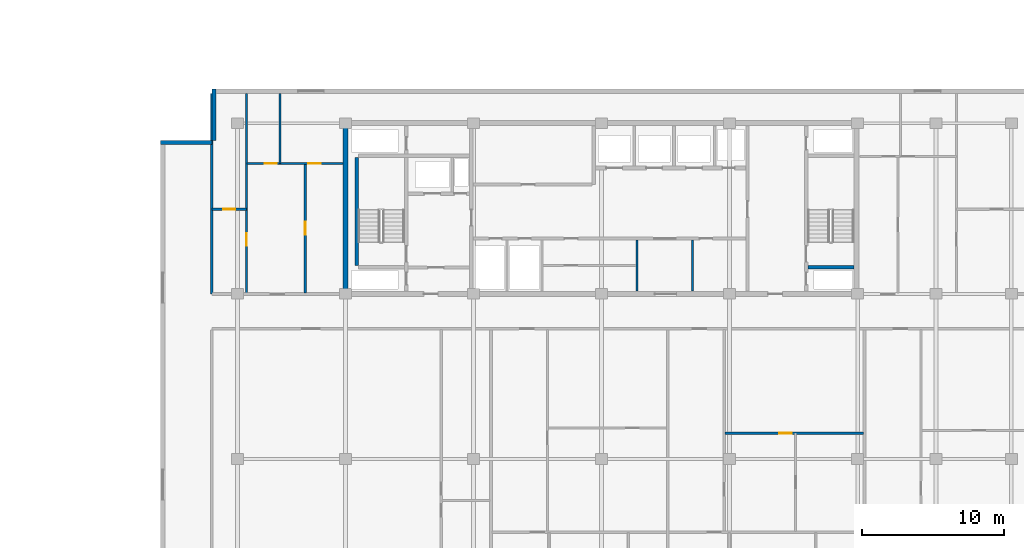
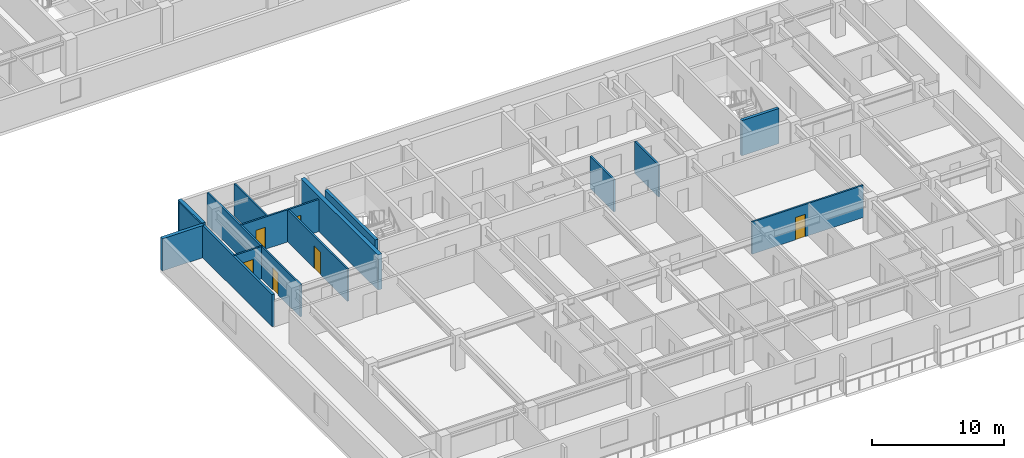
# One storey, part 6 of 22: 14 walls, 6 doors, 6 openings.
"""IFC4 building model written with IfcOpenShell, lengths in metres."""

from ifc_helpers import new_model, si_unit, direction, frame, frame_2d, origin, place, context, subcontext, project, spatial, rectangle, extrude, material, layer, layer_set, type_object, element, fill, save


model = new_model("IFC4")

# Units and contexts
model_context = context("Model", 3, precision=1e-05, world=origin(), true_north=direction((0.0, 1.0)))
body_context = subcontext(model_context, "Body", "Model", "MODEL_VIEW")
ifc_project = project(units=[si_unit("LENGTHUNIT", "METRE"), si_unit("AREAUNIT", "SQUARE_METRE"), si_unit("VOLUMEUNIT", "CUBIC_METRE"), si_unit("PLANEANGLEUNIT", "RADIAN"), si_unit("MASSUNIT", "GRAM", prefix="KILO")], contexts=[model_context])

# Site, building, storey
site_placement = place(None, origin())
site = spatial("IfcSite", under=ifc_project, at=site_placement, CompositionType="ELEMENT")
building_placement = place(site_placement, origin())
building = spatial("IfcBuilding", under=site, at=building_placement, Name="Korimba Cascade Residences", CompositionType="ELEMENT")
storey_placement = place(building_placement, frame((0.0, 0.0, 110.050048828125)))
storey = spatial("IfcBuildingStorey", under=building, at=storey_placement, Name="L31", CompositionType="ELEMENT", Elevation=110.050048828125)

# Walls
ifc_material_1 = material(Name="Precast concrete C40/50", Category="concrete")
ifc_layer_1 = layer(ifc_material_1, 0.300048828125)
ifc_layer_set_1 = layer_set([ifc_layer_1], Name="Precast concrete C40/50")
wall_type_1 = type_object("IfcWallType", Name="EW-STONE-300", PredefinedType="STANDARD", material=ifc_layer_set_1)
wall_1_placement = place(storey_placement, frame((72.85009765625, 32.800048828125, 0.0), z_axis=(0.0, 0.0, 1.0), x_axis=(0.0, -1.0, 0.0)))
element("IfcWall", 1, at=wall_1_placement, inside=storey, type_object=wall_type_1, Name="L31 T2 Perimeter Stone Wall E07", PredefinedType="STANDARD", context=body_context, shape_type="SweptSolid", body=[
    extrude(rectangle(XDim=3.60009765625, YDim=0.300048828125, at=frame_2d((1.800048828125, 0.0))), origin(), (0.0, 0.0, 1.0), 2.969970703125),
])
wall_2_placement = place(storey_placement, frame((72.699951171875, 29.050048828125, 0.0), z_axis=(0.0, 0.0, 1.0), x_axis=(-1.0, 0.0, 0.0)))
element("IfcWall", 2, at=wall_2_placement, inside=storey, type_object=wall_type_1, Name="L31 T2 Perimeter Stone Wall E08", PredefinedType="STANDARD", context=body_context, shape_type="SweptSolid", body=[
    extrude(rectangle(XDim=3.599853515625, YDim=0.300048828125, at=frame_2d((1.7998046875, 0.0))), origin(), (0.0, 0.0, 1.0), 2.969970703125),
])
ifc_material_2 = material(Name="Concrete C65/80", Category="concrete")
ifc_layer_2 = layer(ifc_material_2, 0.35009765625)
ifc_layer_set_2 = layer_set([ifc_layer_2], Name="Concrete C65/80")
wall_type_2 = type_object("IfcWallType", Name="WAL-CORE-350", PredefinedType="SHEAR", material=ifc_layer_set_2)
wall_3_placement = place(storey_placement, frame((82.10009765625, 18.574951171875, 0.0), z_axis=(0.0, 0.0, 1.0), x_axis=(0.0, 1.0, 0.0)))
element("IfcWall", 3, at=wall_3_placement, inside=storey, type_object=wall_type_2, Name="L31 Core Shear Wall CW-L31-T2-W", PredefinedType="SHEAR", context=body_context, shape_type="SweptSolid", body=[
    extrude(rectangle(XDim=11.650146484375, YDim=0.35009765625, at=frame_2d((5.8251953125, 0.0))), origin(), (0.0, 0.0, 1.0), 3.25),
])
ifc_layer_3 = layer(ifc_material_1, 0.199951171875)
ifc_layer_set_3 = layer_set([ifc_layer_3], Name="Precast concrete C40/50")
wall_type_3 = type_object("IfcWallType", Name="WAL-IT-200", PredefinedType="PARTITIONING", material=ifc_layer_set_3)
wall_4_placement = place(storey_placement, frame((72.699951171875, 18.39990234375, 0.0), z_axis=(0.0, 0.0, 1.0), x_axis=(0.0, 1.0, 0.0)))
element("IfcWall", 4, at=wall_4_placement, inside=storey, type_object=wall_type_3, Name="L31 Partition Wall WAL-L31-T2-FW-WL", PredefinedType="PARTITIONING", context=body_context, shape_type="SweptSolid", body=[
    extrude(rectangle(XDim=14.10009765625, YDim=0.199951171875, at=frame_2d((7.050048828125, 0.0))), origin(), (0.0, 0.0, 1.0), 2.969970703125),
])
ifc_material_3 = material(Name="Insulated Acoustic Stud Partition", Category="gypsum")
ifc_layer_4 = layer(ifc_material_3, 0.14990234375)
ifc_layer_set_4 = layer_set([ifc_layer_4], Name="Insulated Acoustic Stud Partition")
wall_type_4 = type_object("IfcWallType", Name="WAL-PART-150", PredefinedType="PARTITIONING", material=ifc_layer_set_4)
for number, where, z_axis, x_axis, name in (
    (5, (102.60009765625, 18.60009765625, 0.0), (0.0, 0.0, 1.0), (0.0, 1.0, 0.0), "L31 Partition Wall CW-L31-T2-THW"),
    (6, (106.5, 18.60009765625, 0.0), (0.0, 0.0, 1.0), (0.0, 1.0, 0.0), "L31 Partition Wall CW-L31-T2-THE"),
):
    element("IfcWall", number, at=place(storey_placement, frame(where, z_axis=z_axis, x_axis=x_axis)), inside=storey, type_object=wall_type_4, Name=name, PredefinedType="PARTITIONING", context=body_context, shape_type="SweptSolid", body=[
        extrude(rectangle(XDim=3.599853515625, YDim=0.14990234375, at=frame_2d((1.7998046875, 0.0))), origin(), (0.0, 0.0, 1.0), 2.969970703125),
    ])

# Wall, opening, door
wall_5_placement = place(storey_placement, frame((72.699951171875, 24.35009765625, 0.0), z_axis=(0.0, 0.0, 1.0), x_axis=(1.0, 0.0, 0.0)))
wall_5 = element("IfcWall", 7, at=wall_5_placement, inside=storey, type_object=wall_type_4, Name="L31 Partition Wall WAL-L31-T2-FW-STH", PredefinedType="PARTITIONING", context=body_context, shape_type="SweptSolid", body=[
    extrude(rectangle(XDim=2.449951171875, YDim=0.14990234375, at=frame_2d((1.22509765625, 0.0))), origin(), (0.0, 0.0, 1.0), 2.969970703125),
])
opening_1_placement = place(wall_5_placement, frame((0.804931640625, 0.0, 0.0)))
opening_1 = element("IfcOpeningElement", 8, at=opening_1_placement, cuts=wall_5, Name="Opening D-BT1", PredefinedType="OPENING", context=body_context, shape_type="SweptSolid", body=[
    extrude(rectangle(XDim=0.840087890625, YDim=2.0400390625, at=frame_2d((0.419921875, 1.02001953125))), frame((0.0, 0.0849609375, 0.0), z_axis=(0.0, -1.0, 0.0), x_axis=(1.0, 0.0, 0.0)), (0.0, 0.0, 1.0), 0.169921875),
])
ifc_material_4 = material(Name="Moisture-Resistant Bathroom Timber Door", Category="wood")
door_type_1 = type_object("IfcDoorType", Name="DR-INT-850", OperationType="NOTDEFINED", PredefinedType="DOOR", material=ifc_material_4)
door_1_placement = place(opening_1_placement, origin())
door_1 = element("IfcDoor", 9, at=door_1_placement, inside=storey, type_object=door_type_1, Name="L31-T2-FW Dressing Store Door", OperationType="SINGLE_SWING_LEFT", OverallHeight=2.0400390625, OverallWidth=0.840087890625, PredefinedType="DOOR", context=body_context, shape_type="SweptSolid", body=[
    extrude(rectangle(XDim=0.840087890625, YDim=2.0400390625, at=frame_2d((0.419921875, 1.02001953125))), frame((0.0, 0.02490234375, 0.0), z_axis=(0.0, -1.0, 0.0), x_axis=(1.0, 0.0, 0.0)), (0.0, 0.0, 1.0), 0.050048828125),
])
fill(opening_1, door_1)

wall_6_placement = place(storey_placement, frame((75.14990234375, 18.449951171875, 0.0), z_axis=(0.0, 0.0, 1.0), x_axis=(0.0, 1.0, 0.0)))
wall_6 = element("IfcWall", 10, at=wall_6_placement, inside=storey, type_object=wall_type_4, Name="L31 Partition Wall WAL-L31-T2-FW-STV", PredefinedType="PARTITIONING", context=body_context, shape_type="SweptSolid", body=[
    extrude(rectangle(XDim=14.050048828125, YDim=0.14990234375, at=frame_2d((7.02490234375, 0.0))), origin(), (0.0, 0.0, 1.0), 2.969970703125),
])
opening_2_placement = place(wall_6_placement, frame((3.320068359375, 0.0, 0.0)))
opening_2 = element("IfcOpeningElement", 11, at=opening_2_placement, cuts=wall_6, Name="Opening D-IN2", PredefinedType="OPENING", context=body_context, shape_type="SweptSolid", body=[
    extrude(rectangle(XDim=0.8798828125, YDim=2.06005859375, at=frame_2d((0.43994140625, 1.030029296875))), frame((0.0, 0.0849609375, 0.0), z_axis=(0.0, -1.0, 0.0), x_axis=(1.0, 0.0, 0.0)), (0.0, 0.0, 1.0), 0.169921875),
])
ifc_material_5 = material(Name="Acoustic Timber Bedroom Door", Category="wood")
door_type_2 = type_object("IfcDoorType", Name="DR-INT-880", OperationType="NOTDEFINED", PredefinedType="DOOR", material=ifc_material_5)
door_2_placement = place(opening_2_placement, origin())
door_2 = element("IfcDoor", 12, at=door_2_placement, inside=storey, type_object=door_type_2, Name="L31-T2-FW Study Door", OperationType="SINGLE_SWING_RIGHT", OverallHeight=2.06005859375, OverallWidth=0.8798828125, PredefinedType="DOOR", context=body_context, shape_type="SweptSolid", body=[
    extrude(rectangle(XDim=0.8798828125, YDim=2.06005859375, at=frame_2d((0.43994140625, 1.030029296875))), frame((0.0, 0.02490234375, 0.0), z_axis=(0.0, -1.0, 0.0), x_axis=(1.0, 0.0, 0.0)), (0.0, 0.0, 1.0), 0.050048828125),
])
fill(opening_2, door_2)

wall_7_placement = place(storey_placement, frame((79.27001953125, 18.449951171875, 0.0), z_axis=(0.0, 0.0, 1.0), x_axis=(0.0, 1.0, 0.0)))
wall_7 = element("IfcWall", 13, at=wall_7_placement, inside=storey, type_object=wall_type_4, Name="L31 Partition Wall WAL-L31-T2-FW-VS", PredefinedType="PARTITIONING", context=body_context, shape_type="SweptSolid", body=[
    extrude(rectangle(XDim=9.1201171875, YDim=0.14990234375, at=frame_2d((4.56005859375, 0.0))), origin(), (0.0, 0.0, 1.0), 2.969970703125),
])
opening_3_placement = place(wall_7_placement, frame((4.10009765625, 0.0, 0.0)))
opening_3 = element("IfcOpeningElement", 14, at=opening_3_placement, cuts=wall_7, Name="Opening D-IN1", PredefinedType="OPENING", context=body_context, shape_type="SweptSolid", body=[
    extrude(rectangle(XDim=0.919921875, YDim=2.080078125, at=frame_2d((0.4599609375, 1.0400390625))), frame((0.0, 0.0849609375, 0.0), z_axis=(0.0, -1.0, 0.0), x_axis=(1.0, 0.0, 0.0)), (0.0, 0.0, 1.0), 0.169921875),
])
ifc_material_6 = material(Name="Acoustic Timber Living Door", Category="wood")
door_type_3 = type_object("IfcDoorType", Name="DR-INT-920", OperationType="NOTDEFINED", PredefinedType="DOOR", material=ifc_material_6)
door_3_placement = place(opening_3_placement, origin())
door_3 = element("IfcDoor", 15, at=door_3_placement, inside=storey, type_object=door_type_3, Name="L31-T2-FW Living Door", OperationType="SINGLE_SWING_LEFT", OverallHeight=2.080078125, OverallWidth=0.919921875, PredefinedType="DOOR", context=body_context, shape_type="SweptSolid", body=[
    extrude(rectangle(XDim=0.919921875, YDim=2.080078125, at=frame_2d((0.4599609375, 1.0400390625))), frame((0.0, 0.02490234375, 0.0), z_axis=(0.0, -1.0, 0.0), x_axis=(1.0, 0.0, 0.0)), (0.0, 0.0, 1.0), 0.050048828125),
])
fill(opening_3, door_3)

# Wall
wall_8_placement = place(storey_placement, frame((77.5, 27.570068359375, 0.0), z_axis=(0.0, 0.0, 1.0), x_axis=(0.0, 1.0, 0.0)))
element("IfcWall", 16, at=wall_8_placement, inside=storey, type_object=wall_type_4, Name="L31 Partition Wall WAL-L31-T2-FW-VN", PredefinedType="PARTITIONING", context=body_context, shape_type="SweptSolid", body=[
    extrude(rectangle(XDim=4.929931640625, YDim=0.14990234375, at=frame_2d((2.46484375, 0.0))), origin(), (0.0, 0.0, 1.0), 2.969970703125),
])

# Wall, openings, doors
wall_9_placement = place(storey_placement, frame((75.169921875, 27.570068359375, 0.0), z_axis=(0.0, 0.0, 1.0), x_axis=(1.0, 0.0, 0.0)))
wall_9 = element("IfcWall", 17, at=wall_9_placement, inside=storey, type_object=wall_type_4, Name="L31 Partition Wall WAL-L31-T2-FW-H", PredefinedType="PARTITIONING", context=body_context, shape_type="SweptSolid", body=[
    extrude(rectangle(XDim=6.760009765625, YDim=0.14990234375, at=frame_2d((3.3798828125, 0.0))), origin(), (0.0, 0.0, 1.0), 2.969970703125),
])
opening_4_placement = place(wall_9_placement, frame((1.266357421875, 0.0, 0.0)))
opening_4 = element("IfcOpeningElement", 18, at=opening_4_placement, cuts=wall_9, Name="Opening D-BT1", PredefinedType="OPENING", context=body_context, shape_type="SweptSolid", body=[
    extrude(rectangle(XDim=0.840087890625, YDim=2.0400390625, at=frame_2d((0.419921875, 1.02001953125))), frame((0.0, 0.0849609375, 0.0), z_axis=(0.0, -1.0, 0.0), x_axis=(1.0, 0.0, 0.0)), (0.0, 0.0, 1.0), 0.169921875),
])
opening_5_placement = place(wall_9_placement, frame((4.320068359375, 0.0, 0.0)))
opening_5 = element("IfcOpeningElement", 19, at=opening_5_placement, cuts=wall_9, Name="Opening D-IN2", PredefinedType="OPENING", context=body_context, shape_type="SweptSolid", body=[
    extrude(rectangle(XDim=0.8798828125, YDim=2.06005859375, at=frame_2d((0.43994140625, 1.030029296875))), frame((0.0, 0.0849609375, 0.0), z_axis=(0.0, -1.0, 0.0), x_axis=(1.0, 0.0, 0.0)), (0.0, 0.0, 1.0), 0.169921875),
])
door_4_placement = place(opening_4_placement, origin())
door_4 = element("IfcDoor", 20, at=door_4_placement, inside=storey, type_object=door_type_1, Name="L31-T2-FW Bathroom Door", OperationType="SINGLE_SWING_RIGHT", OverallHeight=2.0400390625, OverallWidth=0.840087890625, PredefinedType="DOOR", context=body_context, shape_type="SweptSolid", body=[
    extrude(rectangle(XDim=0.840087890625, YDim=2.0400390625, at=frame_2d((0.419921875, 1.02001953125))), frame((0.0, 0.02490234375, 0.0), z_axis=(0.0, -1.0, 0.0), x_axis=(1.0, 0.0, 0.0)), (0.0, 0.0, 1.0), 0.050048828125),
])
fill(opening_4, door_4)
door_5_placement = place(opening_5_placement, origin())
door_5 = element("IfcDoor", 21, at=door_5_placement, inside=storey, type_object=door_type_2, Name="L31-T2-FW Bedroom Door", OperationType="SINGLE_SWING_LEFT", OverallHeight=2.06005859375, OverallWidth=0.8798828125, PredefinedType="DOOR", context=body_context, shape_type="SweptSolid", body=[
    extrude(rectangle(XDim=0.8798828125, YDim=2.06005859375, at=frame_2d((0.43994140625, 1.030029296875))), frame((0.0, 0.02490234375, 0.0), z_axis=(0.0, -1.0, 0.0), x_axis=(1.0, 0.0, 0.0)), (0.0, 0.0, 1.0), 0.050048828125),
])
fill(opening_5, door_5)

# Wall, opening, door
wall_10_placement = place(storey_placement, frame((108.780029296875, 8.610107421875, 0.0), z_axis=(0.0, 0.0, 1.0), x_axis=(1.0, 0.0, 0.0)))
wall_10 = element("IfcWall", 22, at=wall_10_placement, inside=storey, type_object=wall_type_4, Name="L31 Partition Wall WAL-L31-T2-U03-FMH", PredefinedType="PARTITIONING", context=body_context, shape_type="SweptSolid", body=[
    extrude(rectangle(XDim=9.723388671875, YDim=0.14990234375, at=frame_2d((4.86181640625, 0.0))), origin(), (0.0, 0.0, 1.0), 2.969970703125),
])
opening_6_placement = place(wall_10_placement, frame((3.79150390625, 0.0, 0.0)))
opening_6 = element("IfcOpeningElement", 23, at=opening_6_placement, cuts=wall_10, Name="Opening D-IN2", PredefinedType="OPENING", context=body_context, shape_type="SweptSolid", body=[
    extrude(rectangle(XDim=0.8798828125, YDim=2.06005859375, at=frame_2d((0.43994140625, 1.030029296875))), frame((0.0, 0.0849609375, 0.0), z_axis=(0.0, -1.0, 0.0), x_axis=(1.0, 0.0, 0.0)), (0.0, 0.0, 1.0), 0.169921875),
])
door_6_placement = place(opening_6_placement, origin())
door_6 = element("IfcDoor", 24, at=door_6_placement, inside=storey, type_object=door_type_2, Name="L31-T2-U03 Library Salon Door", OperationType="SINGLE_SWING_LEFT", OverallHeight=2.06005859375, OverallWidth=0.8798828125, PredefinedType="DOOR", context=body_context, shape_type="SweptSolid", body=[
    extrude(rectangle(XDim=0.8798828125, YDim=2.06005859375, at=frame_2d((0.43994140625, 1.030029296875))), frame((0.0, 0.02490234375, 0.0), z_axis=(0.0, -1.0, 0.0), x_axis=(1.0, 0.0, 0.0)), (0.0, 0.0, 1.0), 0.050048828125),
])
fill(opening_6, door_6)

# Walls
ifc_material_7 = material(Name="Concrete C50/60", Category="concrete")
ifc_layer_5 = layer(ifc_material_7, 0.25)
ifc_layer_set_5 = layer_set([ifc_layer_5], Name="Concrete C50/60")
wall_type_5 = type_object("IfcWallType", Name="WAL-SHAFT-250", PredefinedType="SHEAR", material=ifc_layer_set_5)
wall_11_placement = place(storey_placement, frame((82.875, 20.39990234375, 0.0), z_axis=(0.0, 0.0, 1.0), x_axis=(0.0, 1.0, 0.0)))
element("IfcWall", 25, at=wall_11_placement, inside=storey, type_object=wall_type_5, Name="L31 Core Shear Wall CW-L31-T2-STE1W", PredefinedType="SHEAR", context=body_context, shape_type="SweptSolid", body=[
    extrude(rectangle(XDim=7.60009765625, YDim=0.25, at=frame_2d((3.800048828125, 0.0))), origin(), (0.0, 0.0, 1.0), 3.25),
])
wall_12_placement = place(storey_placement, frame((114.60009765625, 20.27490234375, 0.0), z_axis=(0.0, 0.0, 1.0), x_axis=(1.0, 0.0, 0.0)))
element("IfcWall", 26, at=wall_12_placement, inside=storey, type_object=wall_type_5, Name="L31 Core Shear Wall CW-L31-T2-STE2S", PredefinedType="SHEAR", context=body_context, shape_type="SweptSolid", body=[
    extrude(rectangle(XDim=3.239990234375, YDim=0.25, at=frame_2d((1.6201171875, 0.0))), origin(), (0.0, 0.0, 1.0), 3.25),
])

save(model, "model.ifc")
